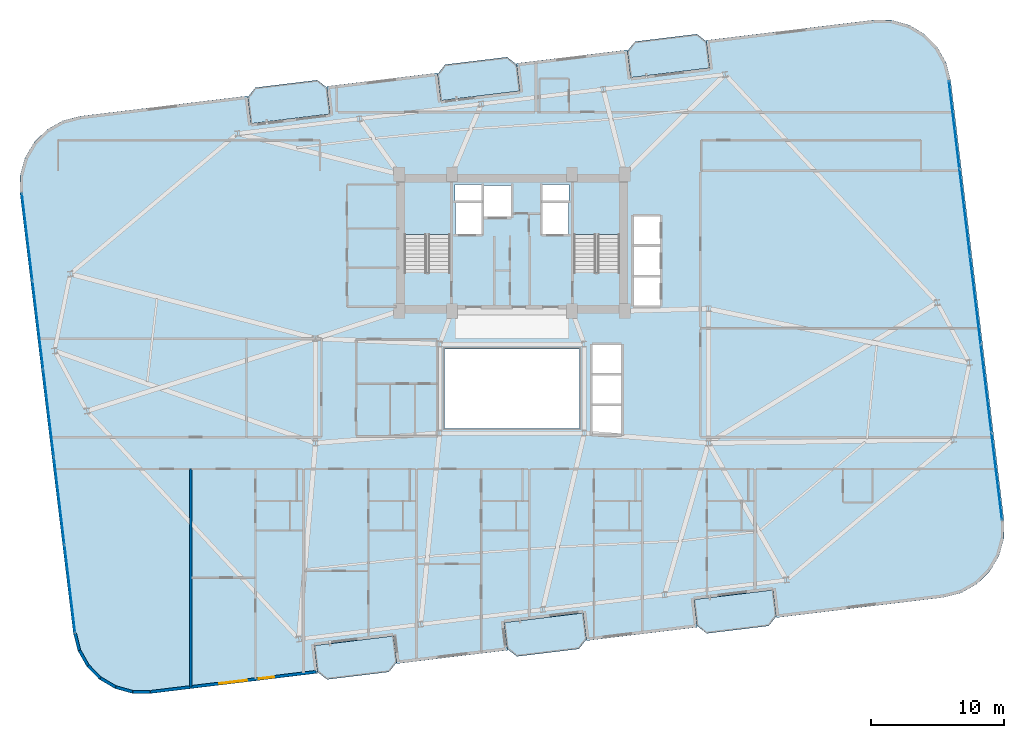
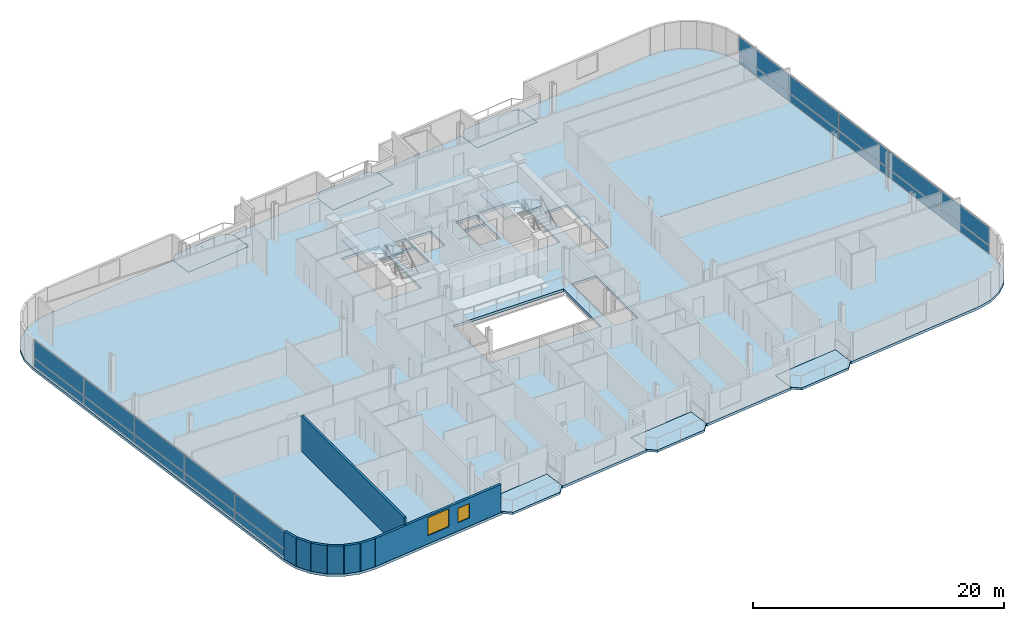
# One storey, part 13 of 23: 20 plates, 9 slabs, 8 walls, 2 windows, 2 openings, 4 elements without a shape of their own.
"""IFC4 building model written with IfcOpenShell, lengths in metres."""

from ifc_helpers import new_model, si_unit, direction, frame, frame_2d, origin, origin_2d, place, context, subcontext, project, spatial, polyline, rectangle, outline, extrude, source, transform, mapped, material, layer, layer_set, type_object, element, fill, aggregate, save


model = new_model("IFC4")

# Units and contexts
model_context = context("Model", 3, precision=1e-05, world=origin(), true_north=direction((0.0, 1.0)))
body_context = subcontext(model_context, "Body", "Model", "MODEL_VIEW")
ifc_project = project(units=[si_unit("LENGTHUNIT", "METRE"), si_unit("AREAUNIT", "SQUARE_METRE"), si_unit("VOLUMEUNIT", "CUBIC_METRE"), si_unit("PLANEANGLEUNIT", "RADIAN"), si_unit("MASSUNIT", "GRAM", prefix="KILO")], contexts=[model_context])

# Site, building, storey
site_placement = place(None, origin())
site = spatial("IfcSite", under=ifc_project, at=site_placement, CompositionType="ELEMENT")
building_placement = place(site_placement, origin())
building = spatial("IfcBuilding", under=site, at=building_placement, Name="Varnelok Gate Tower", CompositionType="ELEMENT")
storey_placement = place(building_placement, frame((0.0, 0.0, 189.39990234375)))
storey = spatial("IfcBuildingStorey", under=building, at=storey_placement, Name="L48", CompositionType="ELEMENT", Elevation=189.39990234375)

# Slabs
ifc_material_1 = material(Name="Concrete C45/55", Category="concrete")
ifc_layer_1 = layer(ifc_material_1, 0.219970703125)
ifc_layer_set_1 = layer_set([ifc_layer_1], Name="Concrete C45/55")
slab_type_1 = type_object("IfcSlabType", Name="SLB-BALC-220", PredefinedType="FLOOR", material=ifc_layer_set_1)
slab_1_placement = place(storey_placement, frame((0.0, 0.0, -0.219970703125)))
element("IfcSlab", 1, at=slab_1_placement, inside=storey, type_object=slab_type_1, Name="L48 South Hollow Balcony 1", PredefinedType="FLOOR", context=body_context, shape_type="SweptSolid", body=[
    extrude(outline(polyline([(24.550048828125, 1.564453125), (25.2734375, 0.997314453125), (29.939208984375, 1.56298828125), (30.50634765625, 2.28662109375), (30.265625, 4.27197265625), (24.309326171875, 3.5498046875), (24.550048828125, 1.564453125)])), origin(), (0.0, 0.0, 1.0), 0.219970703125),
])
slab_2_placement = place(storey_placement, frame((0.0, 0.0, -0.219970703125)))
element("IfcSlab", 2, at=slab_2_placement, inside=storey, type_object=slab_type_1, Name="L48 South Hollow Balcony 2", PredefinedType="FLOOR", context=body_context, shape_type="SweptSolid", body=[
    extrude(outline(polyline([(38.84521484375, 3.29736328125), (39.56884765625, 2.73046875), (44.234619140625, 3.2958984375), (44.8017578125, 4.01953125), (44.56103515625, 6.0048828125), (38.6044921875, 5.282958984375), (38.84521484375, 3.29736328125)])), origin(), (0.0, 0.0, 1.0), 0.219970703125),
])
slab_3_placement = place(storey_placement, frame((0.0, 0.0, -0.219970703125)))
element("IfcSlab", 3, at=slab_3_placement, inside=storey, type_object=slab_type_1, Name="L48 South Hollow Balcony 3", PredefinedType="FLOOR", context=body_context, shape_type="SweptSolid", body=[
    extrude(outline(polyline([(53.140625, 5.030517578125), (53.8642578125, 4.46337890625), (58.530029296875, 5.02880859375), (59.09716796875, 5.75244140625), (58.8564453125, 7.73779296875), (52.89990234375, 7.015869140625), (53.140625, 5.030517578125)])), origin(), (0.0, 0.0, 1.0), 0.219970703125),
])
slab_4_placement = place(storey_placement, frame((0.0, 0.0, -0.219970703125)))
element("IfcSlab", 4, at=slab_4_placement, inside=storey, type_object=slab_type_1, Name="L48 North Hollow Balcony 1", PredefinedType="FLOOR", context=body_context, shape_type="SweptSolid", body=[
    extrude(outline(polyline([(19.543701171875, 42.862060546875), (25.5, 43.584228515625), (25.25927734375, 45.569580078125), (24.535888671875, 46.13671875), (19.8701171875, 45.571044921875), (19.302978515625, 44.84765625), (19.543701171875, 42.862060546875)])), origin(), (0.0, 0.0, 1.0), 0.219970703125),
])
slab_5_placement = place(storey_placement, frame((0.0, 0.0, -0.219970703125)))
element("IfcSlab", 5, at=slab_5_placement, inside=storey, type_object=slab_type_1, Name="L48 North Hollow Balcony 2", PredefinedType="FLOOR", context=body_context, shape_type="SweptSolid", body=[
    extrude(outline(polyline([(33.839111328125, 44.59521484375), (39.79541015625, 45.317138671875), (39.5546875, 47.302490234375), (38.831298828125, 47.86962890625), (34.165283203125, 47.303955078125), (33.598388671875, 46.58056640625), (33.839111328125, 44.59521484375)])), origin(), (0.0, 0.0, 1.0), 0.219970703125),
])
slab_6_placement = place(storey_placement, frame((0.0, 0.0, -0.219970703125)))
element("IfcSlab", 6, at=slab_6_placement, inside=storey, type_object=slab_type_1, Name="L48 North Hollow Balcony 3", PredefinedType="FLOOR", context=body_context, shape_type="SweptSolid", body=[
    extrude(outline(polyline([(48.13427734375, 46.327880859375), (54.0908203125, 47.050048828125), (53.85009765625, 49.03564453125), (53.12646484375, 49.6025390625), (48.460693359375, 49.037109375), (47.8935546875, 48.3134765625), (48.13427734375, 46.327880859375)])), origin(), (0.0, 0.0, 1.0), 0.219970703125),
])

# Stair, slab
ifc_material_2 = material(Name="Concrete C50/60", Category="concrete")
stair_type = type_object("IfcStairType", Name="STR-CORE-1650", PredefinedType="HALF_TURN_STAIR", material=ifc_material_2)
stair_1_placement = place(storey_placement, origin())
stair_1 = element("IfcStair", 7, at=stair_1_placement, inside=storey, type_object=stair_type, Name="L48 Exit Stair ST-1", PredefinedType="HALF_TURN_STAIR")
ifc_layer_2 = layer(ifc_material_1, 0.199951171875)
ifc_layer_set_2 = layer_set([ifc_layer_2], Name="Concrete C45/55")
slab_type_2 = type_object("IfcSlabType", Name="SLB-LAND-200", PredefinedType="LANDING", material=ifc_layer_set_2)
slab_7_placement = place(storey_placement, frame((0.0, 0.0, 1.650146484375)))
slab_7 = element("IfcSlab", 8, at=slab_7_placement, type_object=slab_type_2, Name="ST-1 landing 1", PredefinedType="LANDING", context=body_context, shape_type="SweptSolid", body=[
    extrude(outline(polyline([(34.550048828125, 34.5), (34.550048828125, 38.449951171875), (31.10009765625, 38.449951171875), (31.10009765625, 34.5), (34.550048828125, 34.5)])), origin(), (0.0, 0.0, 1.0), 0.199951171875),
])
aggregate(stair_1, [slab_7])

stair_2_placement = place(storey_placement, origin())
stair_2 = element("IfcStair", 9, at=stair_2_placement, inside=storey, type_object=stair_type, Name="L48 Exit Stair ST-2", PredefinedType="HALF_TURN_STAIR")
slab_8_placement = place(storey_placement, frame((0.0, 0.0, 1.650146484375)))
slab_8 = element("IfcSlab", 10, at=slab_8_placement, type_object=slab_type_2, Name="ST-2 landing 1", PredefinedType="LANDING", context=body_context, shape_type="SweptSolid", body=[
    extrude(outline(polyline([(47.300048828125, 34.5), (47.300048828125, 38.449951171875), (43.85009765625, 38.449951171875), (43.85009765625, 34.5), (47.300048828125, 34.5)])), origin(), (0.0, 0.0, 1.0), 0.199951171875),
])
aggregate(stair_2, [slab_8])

# Slab
ifc_layer_3 = layer(ifc_material_2, 0.25)
ifc_layer_set_3 = layer_set([ifc_layer_3], Name="Concrete C50/60")
slab_type_3 = type_object("IfcSlabType", Name="SLB-TYP-250", PredefinedType="FLOOR", material=ifc_layer_set_3)
slab_9_placement = place(storey_placement, frame((0.0, 0.0, -0.25)))
element("IfcSlab", 11, at=slab_9_placement, inside=storey, type_object=slab_type_3, Name="L48 Structural Floor Slab", PredefinedType="FLOOR", context=body_context, shape_type="SweptSolid", body=[
    extrude(outline(polyline([(6.166259765625, 4.47314453125), (6.504150390625, 3.158447265625), (7.1708984375, 1.975830078125), (8.120849609375, 1.006103515625), (9.289306640625, 0.3154296875), (10.596923828125, -0.04931640625), (11.954345703125, -0.063232421875), (22.87451171875, 1.260498046875), (24.56201171875, 1.465087890625), (24.309326171875, 3.5498046875), (30.265625, 4.27197265625), (30.518310546875, 2.187255859375), (38.857421875, 3.197998046875), (38.6044921875, 5.282958984375), (44.56103515625, 6.0048828125), (44.813720703125, 3.920166015625), (53.152587890625, 4.93115234375), (52.89990234375, 7.015869140625), (58.8564453125, 7.73779296875), (59.109130859375, 5.6533203125), (60.796630859375, 5.85791015625), (71.716796875, 7.181396484375), (73.031494140625, 7.519287109375), (74.214111328125, 8.18603515625), (75.183837890625, 9.135986328125), (75.87451171875, 10.3046875), (76.2392578125, 11.612060546875), (76.253173828125, 12.969482421875), (72.233642578125, 46.126708984375), (71.895751953125, 47.441650390625), (71.229248046875, 48.6240234375), (70.279296875, 49.59375), (69.110595703125, 50.284423828125), (67.802978515625, 50.6494140625), (66.44580078125, 50.6630859375), (55.525634765625, 49.33935546875), (53.837890625, 49.134765625), (54.0908203125, 47.050048828125), (48.13427734375, 46.327880859375), (47.881591796875, 48.412841796875), (39.54248046875, 47.40185546875), (39.79541015625, 45.317138671875), (33.839111328125, 44.59521484375), (33.586181640625, 46.6796875), (25.247314453125, 45.6689453125), (25.5, 43.584228515625), (19.543701171875, 42.862060546875), (19.291015625, 44.94677734375), (17.603271484375, 44.7421875), (6.68310546875, 43.41845703125), (5.368408203125, 43.08056640625), (4.18603515625, 42.413818359375), (3.21630859375, 41.464111328125), (2.525390625, 40.29541015625), (2.16064453125, 38.98779296875), (2.146728515625, 37.630615234375), (6.166259765625, 4.47314453125)]), holes=[polyline([(34.550048828125, 31.679931640625), (34.550048828125, 38.449951171875), (31.10009765625, 38.449951171875), (31.10009765625, 31.679931640625), (34.550048828125, 31.679931640625)]), polyline([(47.300048828125, 31.679931640625), (47.300048828125, 38.449951171875), (43.85009765625, 38.449951171875), (43.85009765625, 31.679931640625), (47.300048828125, 31.679931640625)]), polyline([(34.949951171875, 34.550048828125), (36.89990234375, 34.550048828125), (36.89990234375, 36.89990234375), (34.949951171875, 36.89990234375), (34.949951171875, 34.550048828125)]), polyline([(41.5, 34.550048828125), (43.449951171875, 34.550048828125), (43.449951171875, 36.89990234375), (41.5, 36.89990234375), (41.5, 34.550048828125)]), polyline([(37.050048828125, 35.85009765625), (39.14990234375, 35.85009765625), (39.14990234375, 38.199951171875), (37.050048828125, 38.199951171875), (37.050048828125, 35.85009765625)]), polyline([(48.35009765625, 29.14990234375), (50.35009765625, 29.14990234375), (50.35009765625, 35.89990234375), (48.35009765625, 35.89990234375), (48.35009765625, 29.14990234375)]), polyline([(45.25, 19.449951171875), (47.449951171875, 19.449951171875), (47.449951171875, 26.199951171875), (45.25, 26.199951171875), (45.25, 19.449951171875)]), polyline([(34.919921875, 37.080078125), (36.89990234375, 37.080078125), (36.89990234375, 38.280029296875), (34.919921875, 38.280029296875), (34.919921875, 37.080078125)]), polyline([(41.5, 37.080078125), (43.47998046875, 37.080078125), (43.47998046875, 38.280029296875), (41.5, 38.280029296875), (41.5, 37.080078125)]), polyline([(34.10009765625, 19.89990234375), (44.300048828125, 19.89990234375), (44.300048828125, 25.89990234375), (34.10009765625, 25.89990234375), (34.10009765625, 19.89990234375)])]), origin(), (0.0, 0.0, 1.0), 0.25),
])

# Curtain wall, plates
ifc_material_3 = material(Name="Anodized Aluminum Alloy 6063-T6", Category="aluminium")
ifc_layer_4 = layer(ifc_material_3, 0.179931640625)
ifc_layer_set_4 = layer_set([ifc_layer_4], Name="Anodized Aluminum Alloy 6063-T6")
curtain_wall_type = type_object("IfcCurtainWallType", Name="CW4-RESIDENCE-VISION", PredefinedType="USERDEFINED", material=ifc_layer_set_4)
curtain_wall_1_placement = place(storey_placement, origin())
curtain_wall_1 = element("IfcCurtainWall", 12, at=curtain_wall_1_placement, inside=storey, type_object=curtain_wall_type, Name="L48 West End Vision Curtain Wall", ObjectType="UNITISED CURTAIN WALL", PredefinedType="USERDEFINED")
ifc_material_4 = material(Name="Low-E Laminated Double Glazing IGU", Category="glass")
ifc_layer_5 = layer(ifc_material_4, 0.035888671875)
ifc_layer_set_5 = layer_set([ifc_layer_5], Name="Low-E Laminated Double Glazing IGU")
plate_type = type_object("IfcPlateType", Name="CW-PNL-IGU36", PredefinedType="CURTAIN_PANEL", material=ifc_layer_set_5)
shared_shape_1 = source(origin(), body_context, "Body", "SweptSolid", [
    extrude(rectangle(XDim=6.5673828125, YDim=0.035888671875, at=origin_2d()), origin(), (0.0, 0.0, 1.0), 0.78759765625),
])
plate_1_placement = place(storey_placement, frame((5.901123046875, 7.824462890625, 0.074951171875), z_axis=(0.0, 0.0, 1.0), x_axis=(-0.120344511371, 0.992732188751, 0.0)))
plate_1 = element("IfcPlate", 13, at=plate_1_placement, type_object=plate_type, Name="CW4 panel 1.1", PredefinedType="CURTAIN_PANEL", context=body_context, shape_type="MappedRepresentation", body=[
    mapped(shared_shape_1, transform((0.0, 0.0, 0.0), scale=1.0)),
])
plate_2_placement = place(storey_placement, frame((2.68994140625, 34.31298828125, 0.074951171875), z_axis=(0.0, 0.0, 1.0), x_axis=(-0.120344511371, 0.992732188751, 0.0)))
plate_2 = element("IfcPlate", 14, at=plate_2_placement, type_object=plate_type, Name="CW4 panel 5.1", PredefinedType="CURTAIN_PANEL", context=body_context, shape_type="MappedRepresentation", body=[
    mapped(shared_shape_1, transform((0.0, 0.0, 0.0), scale=1.0)),
])

curtain_wall_2_placement = place(storey_placement, origin())
curtain_wall_2 = element("IfcCurtainWall", 15, at=curtain_wall_2_placement, inside=storey, type_object=curtain_wall_type, Name="L48 East End Vision Curtain Wall", ObjectType="UNITISED CURTAIN WALL", PredefinedType="USERDEFINED")
plate_3_placement = place(storey_placement, frame((72.4990234375, 42.775634765625, 0.074951171875), z_axis=(0.0, 0.0, 1.0), x_axis=(0.120344511371, -0.992732188751, 0.0)))
plate_3 = element("IfcPlate", 16, at=plate_3_placement, type_object=plate_type, Name="CW4 panel 1.1", PredefinedType="CURTAIN_PANEL", context=body_context, shape_type="MappedRepresentation", body=[
    mapped(shared_shape_1, transform((0.0, 0.0, 0.0), scale=1.0)),
])
plate_4_placement = place(storey_placement, frame((75.7099609375, 16.287109375, 0.074951171875), z_axis=(0.0, 0.0, 1.0), x_axis=(0.120344511371, -0.992732188751, 0.0)))
plate_4 = element("IfcPlate", 17, at=plate_4_placement, type_object=plate_type, Name="CW4 panel 5.1", PredefinedType="CURTAIN_PANEL", context=body_context, shape_type="MappedRepresentation", body=[
    mapped(shared_shape_1, transform((0.0, 0.0, 0.0), scale=1.0)),
])

# Plate
shared_shape_2 = source(origin(), body_context, "Body", "SweptSolid", [
    extrude(rectangle(XDim=6.5673828125, YDim=0.035888671875, at=origin_2d()), origin(), (0.0, 0.0, 1.0), 1.717529296875),
])
plate_5_placement = place(storey_placement, frame((5.901123046875, 7.824462890625, 0.9375), z_axis=(0.0, 0.0, 1.0), x_axis=(-0.120344511371, 0.992732188751, 0.0)))
plate_5 = element("IfcPlate", 18, at=plate_5_placement, type_object=plate_type, Name="CW4 panel 1.2", PredefinedType="CURTAIN_PANEL", context=body_context, shape_type="MappedRepresentation", body=[
    mapped(shared_shape_2, transform((0.0, 0.0, 0.0), scale=1.0)),
])

plate_6_placement = place(storey_placement, frame((2.68994140625, 34.31298828125, 0.9375), z_axis=(0.0, 0.0, 1.0), x_axis=(-0.120344511371, 0.992732188751, 0.0)))
plate_6 = element("IfcPlate", 19, at=plate_6_placement, type_object=plate_type, Name="CW4 panel 5.2", PredefinedType="CURTAIN_PANEL", context=body_context, shape_type="MappedRepresentation", body=[
    mapped(shared_shape_2, transform((0.0, 0.0, 0.0), scale=1.0)),
])

plate_7_placement = place(storey_placement, frame((72.4990234375, 42.775634765625, 0.9375), z_axis=(0.0, 0.0, 1.0), x_axis=(0.120344511371, -0.992732188751, 0.0)))
plate_7 = element("IfcPlate", 20, at=plate_7_placement, type_object=plate_type, Name="CW4 panel 1.2", PredefinedType="CURTAIN_PANEL", context=body_context, shape_type="MappedRepresentation", body=[
    mapped(shared_shape_2, transform((0.0, 0.0, 0.0), scale=1.0)),
])

plate_8_placement = place(storey_placement, frame((75.7099609375, 16.287109375, 0.9375), z_axis=(0.0, 0.0, 1.0), x_axis=(0.120344511371, -0.992732188751, 0.0)))
plate_8 = element("IfcPlate", 21, at=plate_8_placement, type_object=plate_type, Name="CW4 panel 5.2", PredefinedType="CURTAIN_PANEL", context=body_context, shape_type="MappedRepresentation", body=[
    mapped(shared_shape_2, transform((0.0, 0.0, 0.0), scale=1.0)),
])

shared_shape_3 = source(origin(), body_context, "Body", "SweptSolid", [
    extrude(rectangle(XDim=6.60498046875, YDim=0.035888671875, at=origin_2d()), origin(), (0.0, 0.0, 1.0), 0.78759765625),
])
plate_9_placement = place(storey_placement, frame((5.099365234375, 14.437255859375, 0.074951171875), z_axis=(0.0, 0.0, 1.0), x_axis=(-0.120344511371, 0.992732188751, 0.0)))
plate_9 = element("IfcPlate", 22, at=plate_9_placement, type_object=plate_type, Name="CW4 panel 2.1", PredefinedType="CURTAIN_PANEL", context=body_context, shape_type="MappedRepresentation", body=[
    mapped(shared_shape_3, transform((0.0, 0.0, 0.0), scale=1.0)),
])

plate_10_placement = place(storey_placement, frame((4.295654296875, 21.068603515625, 0.074951171875), z_axis=(0.0, 0.0, 1.0), x_axis=(-0.120344511371, 0.992732188751, 0.0)))
plate_10 = element("IfcPlate", 23, at=plate_10_placement, type_object=plate_type, Name="CW4 panel 3.1", PredefinedType="CURTAIN_PANEL", context=body_context, shape_type="MappedRepresentation", body=[
    mapped(shared_shape_3, transform((0.0, 0.0, 0.0), scale=1.0)),
])

plate_11_placement = place(storey_placement, frame((3.49169921875, 27.7001953125, 0.074951171875), z_axis=(0.0, 0.0, 1.0), x_axis=(-0.120344511371, 0.992732188751, 0.0)))
plate_11 = element("IfcPlate", 24, at=plate_11_placement, type_object=plate_type, Name="CW4 panel 4.1", PredefinedType="CURTAIN_PANEL", context=body_context, shape_type="MappedRepresentation", body=[
    mapped(shared_shape_3, transform((0.0, 0.0, 0.0), scale=1.0)),
])

plate_12_placement = place(storey_placement, frame((73.300537109375, 36.162841796875, 0.074951171875), z_axis=(0.0, 0.0, 1.0), x_axis=(0.120344511371, -0.992732188751, 0.0)))
plate_12 = element("IfcPlate", 25, at=plate_12_placement, type_object=plate_type, Name="CW4 panel 2.1", PredefinedType="CURTAIN_PANEL", context=body_context, shape_type="MappedRepresentation", body=[
    mapped(shared_shape_3, transform((0.0, 0.0, 0.0), scale=1.0)),
])

plate_13_placement = place(storey_placement, frame((74.1044921875, 29.53125, 0.074951171875), z_axis=(0.0, 0.0, 1.0), x_axis=(0.120344511371, -0.992732188751, 0.0)))
plate_13 = element("IfcPlate", 26, at=plate_13_placement, type_object=plate_type, Name="CW4 panel 3.1", PredefinedType="CURTAIN_PANEL", context=body_context, shape_type="MappedRepresentation", body=[
    mapped(shared_shape_3, transform((0.0, 0.0, 0.0), scale=1.0)),
])

plate_14_placement = place(storey_placement, frame((74.908447265625, 22.89990234375, 0.074951171875), z_axis=(0.0, 0.0, 1.0), x_axis=(0.120344511371, -0.992732188751, 0.0)))
plate_14 = element("IfcPlate", 27, at=plate_14_placement, type_object=plate_type, Name="CW4 panel 4.1", PredefinedType="CURTAIN_PANEL", context=body_context, shape_type="MappedRepresentation", body=[
    mapped(shared_shape_3, transform((0.0, 0.0, 0.0), scale=1.0)),
])

shared_shape_4 = source(origin(), body_context, "Body", "SweptSolid", [
    extrude(rectangle(XDim=6.60498046875, YDim=0.035888671875, at=origin_2d()), origin(), (0.0, 0.0, 1.0), 1.717529296875),
])
plate_15_placement = place(storey_placement, frame((5.099365234375, 14.437255859375, 0.9375), z_axis=(0.0, 0.0, 1.0), x_axis=(-0.120344511371, 0.992732188751, 0.0)))
plate_15 = element("IfcPlate", 28, at=plate_15_placement, type_object=plate_type, Name="CW4 panel 2.2", PredefinedType="CURTAIN_PANEL", context=body_context, shape_type="MappedRepresentation", body=[
    mapped(shared_shape_4, transform((0.0, 0.0, 0.0), scale=1.0)),
])

plate_16_placement = place(storey_placement, frame((4.295654296875, 21.068603515625, 0.9375), z_axis=(0.0, 0.0, 1.0), x_axis=(-0.120344511371, 0.992732188751, 0.0)))
plate_16 = element("IfcPlate", 29, at=plate_16_placement, type_object=plate_type, Name="CW4 panel 3.2", PredefinedType="CURTAIN_PANEL", context=body_context, shape_type="MappedRepresentation", body=[
    mapped(shared_shape_4, transform((0.0, 0.0, 0.0), scale=1.0)),
])

plate_17_placement = place(storey_placement, frame((3.49169921875, 27.7001953125, 0.9375), z_axis=(0.0, 0.0, 1.0), x_axis=(-0.120344511371, 0.992732188751, 0.0)))
plate_17 = element("IfcPlate", 30, at=plate_17_placement, type_object=plate_type, Name="CW4 panel 4.2", PredefinedType="CURTAIN_PANEL", context=body_context, shape_type="MappedRepresentation", body=[
    mapped(shared_shape_4, transform((0.0, 0.0, 0.0), scale=1.0)),
])

aggregate(curtain_wall_1, [plate_1, plate_5, plate_9, plate_15, plate_10, plate_16, plate_11, plate_17, plate_2, plate_6])

plate_18_placement = place(storey_placement, frame((73.300537109375, 36.162841796875, 0.9375), z_axis=(0.0, 0.0, 1.0), x_axis=(0.120344511371, -0.992732188751, 0.0)))
plate_18 = element("IfcPlate", 31, at=plate_18_placement, type_object=plate_type, Name="CW4 panel 2.2", PredefinedType="CURTAIN_PANEL", context=body_context, shape_type="MappedRepresentation", body=[
    mapped(shared_shape_4, transform((0.0, 0.0, 0.0), scale=1.0)),
])

plate_19_placement = place(storey_placement, frame((74.1044921875, 29.53125, 0.9375), z_axis=(0.0, 0.0, 1.0), x_axis=(0.120344511371, -0.992732188751, 0.0)))
plate_19 = element("IfcPlate", 32, at=plate_19_placement, type_object=plate_type, Name="CW4 panel 3.2", PredefinedType="CURTAIN_PANEL", context=body_context, shape_type="MappedRepresentation", body=[
    mapped(shared_shape_4, transform((0.0, 0.0, 0.0), scale=1.0)),
])

plate_20_placement = place(storey_placement, frame((74.908447265625, 22.89990234375, 0.9375), z_axis=(0.0, 0.0, 1.0), x_axis=(0.120344511371, -0.992732188751, 0.0)))
plate_20 = element("IfcPlate", 33, at=plate_20_placement, type_object=plate_type, Name="CW4 panel 4.2", PredefinedType="CURTAIN_PANEL", context=body_context, shape_type="MappedRepresentation", body=[
    mapped(shared_shape_4, transform((0.0, 0.0, 0.0), scale=1.0)),
])

aggregate(curtain_wall_2, [plate_3, plate_7, plate_12, plate_18, plate_13, plate_19, plate_14, plate_20, plate_4, plate_8])

# Walls
ifc_layer_6 = layer(ifc_material_1, 0.219970703125)
ifc_layer_set_6 = layer_set([ifc_layer_6], Name="Concrete C45/55")
wall_type_1 = type_object("IfcWallType", Name="EW-BALC-220", PredefinedType="SOLIDWALL", material=ifc_layer_set_6)
wall_1_placement = place(storey_placement, frame((6.286376953125, 4.48779296875, 0.0), z_axis=(0.0, 0.0, 1.0), x_axis=(0.248942347653, -0.968518305219, 0.0)))
element("IfcWall", 34, at=wall_1_placement, inside=storey, type_object=wall_type_1, Name="L48 Perimeter Facade Closure Wall 1", PredefinedType="SOLIDWALL", context=body_context, shape_type="SweptSolid", body=[
    extrude(rectangle(XDim=1.325927734375, YDim=0.219970703125, at=frame_2d((0.6630859375, 0.0))), origin(), (0.0, 0.0, 1.0), 2.72998046875),
])
for number, where, z_axis, x_axis, name in (
    (35, (6.62890625, 3.181884765625, 0.0), (0.0, 0.0, 1.0), (0.490956091431, -0.871184318205, 0.0), "L48 Perimeter Facade Closure Wall 2"),
    (36, (7.28515625, 2.03076171875, 0.0), (0.0, 0.0, 1.0), (0.699844331926, -0.714295394827, 0.0), "L48 Perimeter Facade Closure Wall 3"),
    (37, (8.217041015625, 1.088623046875, 0.0), (0.0, 0.0, 1.0), (0.860885425627, -0.508798863936, 0.0), "L48 Perimeter Facade Closure Wall 4"),
):
    element("IfcWall", number, at=place(storey_placement, frame(where, z_axis=z_axis, x_axis=x_axis)), inside=storey, type_object=wall_type_1, Name=name, PredefinedType="SOLIDWALL", context=body_context, shape_type="SweptSolid", body=[
        extrude(rectangle(XDim=1.30078125, YDim=0.219970703125, at=frame_2d((0.650390625, 0.0))), origin(), (0.0, 0.0, 1.0), 2.72998046875),
    ])
wall_2_placement = place(storey_placement, frame((9.36083984375, 0.420166015625, 0.0), z_axis=(0.0, 0.0, 1.0), x_axis=(0.963218895288, -0.268717992997, 0.0)))
element("IfcWall", 38, at=wall_2_placement, inside=storey, type_object=wall_type_1, Name="L48 Perimeter Facade Closure Wall 5", PredefinedType="SOLIDWALL", context=body_context, shape_type="SweptSolid", body=[
    extrude(rectangle(XDim=1.301025390625, YDim=0.219970703125, at=frame_2d((0.650390625, 0.0))), origin(), (0.0, 0.0, 1.0), 2.72998046875),
])
wall_3_placement = place(storey_placement, frame((10.638916015625, 0.0703125, 0.0), z_axis=(0.0, 0.0, 1.0), x_axis=(0.999947377741, -0.010258740119, 0.0)))
element("IfcWall", 39, at=wall_3_placement, inside=storey, type_object=wall_type_1, Name="L48 Perimeter Facade Closure Wall 6", PredefinedType="SOLIDWALL", context=body_context, shape_type="SweptSolid", body=[
    extrude(rectangle(XDim=1.308837890625, YDim=0.219970703125, at=frame_2d((0.654296875, 0.0))), origin(), (0.0, 0.0, 1.0), 2.72998046875),
])

# Wall, openings, windows
wall_4_placement = place(storey_placement, frame((11.972412109375, 0.059814453125, 0.0), z_axis=(0.0, 0.0, 1.0), x_axis=(0.992732021049, 0.120345894751, 0.0)))
wall_4 = element("IfcWall", 40, at=wall_4_placement, inside=storey, type_object=wall_type_1, Name="L48 Perimeter Facade Closure Wall 7", PredefinedType="SOLIDWALL", context=body_context, shape_type="SweptSolid", body=[
    extrude(rectangle(XDim=12.54736328125, YDim=0.219970703125, at=frame_2d((6.273681640625, 0.0))), origin(), (0.0, 0.0, 1.0), 2.72998046875),
])
opening_1_placement = place(wall_4_placement, frame((5.2236328125, 0.0, 0.800048828125)))
opening_1 = element("IfcOpeningElement", 41, at=opening_1_placement, cuts=wall_4, Name="Opening WN4", PredefinedType="OPENING", context=body_context, shape_type="SweptSolid", body=[
    extrude(rectangle(XDim=2.10009765625, YDim=1.75, at=frame_2d((1.050048828125, 0.875))), frame((0.0, 0.119873046875, 0.0), z_axis=(0.0, -1.0, 0.0), x_axis=(1.0, 0.0, 0.0)), (0.0, 0.0, 1.0), 0.239990234375),
])
opening_2_placement = place(wall_4_placement, frame((8.224853515625, 0.0, 0.800048828125)))
opening_2 = element("IfcOpeningElement", 42, at=opening_2_placement, cuts=wall_4, Name="Opening WN8", PredefinedType="OPENING", context=body_context, shape_type="SweptSolid", body=[
    extrude(rectangle(XDim=1.14990234375, YDim=1.39990234375, at=frame_2d((0.574951171875, 0.699951171875))), frame((0.0, 0.119873046875, 0.0), z_axis=(0.0, -1.0, 0.0), x_axis=(1.0, 0.0, 0.0)), (0.0, 0.0, 1.0), 0.239990234375),
])
window_type_1 = type_object("IfcWindowType", Name="WN-BED-1150", PartitioningType="SINGLE_PANEL", PredefinedType="WINDOW", material=ifc_material_4)
window_1_placement = place(opening_2_placement, origin())
window_1 = element("IfcWindow", 43, at=window_1_placement, inside=storey, type_object=window_type_1, Name="L48 Bedroom Vision Window 28", OverallHeight=1.39990234375, OverallWidth=1.14990234375, PartitioningType="SINGLE_PANEL", PredefinedType="WINDOW", context=body_context, shape_type="SweptSolid", body=[
    extrude(rectangle(XDim=1.14990234375, YDim=1.39990234375, at=frame_2d((0.574951171875, 0.699951171875))), frame((0.0, 0.030029296875, 0.0), z_axis=(0.0, -1.0, 0.0), x_axis=(1.0, 0.0, 0.0)), (0.0, 0.0, 1.0), 0.06005859375),
])
fill(opening_2, window_1)
window_type_2 = type_object("IfcWindowType", Name="WN-SUI-2100", PartitioningType="SINGLE_PANEL", PredefinedType="WINDOW", material=ifc_material_4)
window_2_placement = place(opening_1_placement, origin())
window_2 = element("IfcWindow", 44, at=window_2_placement, inside=storey, type_object=window_type_2, Name="L48 Perimeter Vision Window 7", OverallHeight=1.75, OverallWidth=2.10009765625, PartitioningType="SINGLE_PANEL", PredefinedType="WINDOW", context=body_context, shape_type="SweptSolid", body=[
    extrude(rectangle(XDim=2.10009765625, YDim=1.75, at=frame_2d((1.050048828125, 0.875))), frame((0.0, 0.030029296875, 0.0), z_axis=(0.0, -1.0, 0.0), x_axis=(1.0, 0.0, 0.0)), (0.0, 0.0, 1.0), 0.06005859375),
])
fill(opening_1, window_2)

# Wall
ifc_material_5 = material(Name="Gypsum Plasterboard Acoustic Partition", Category="gypsum")
ifc_layer_7 = layer(ifc_material_5, 0.205078125)
ifc_layer_set_7 = layer_set([ifc_layer_7], Name="Gypsum Plasterboard Acoustic Partition")
wall_type_2 = type_object("IfcWallType", Name="PW-PARTY-200", PredefinedType="PARTITIONING", material=ifc_layer_set_7)
wall_5_placement = place(storey_placement, frame((15.0, 0.447021484375, 0.0), z_axis=(0.0, 0.0, 1.0), x_axis=(0.0, 1.0, 0.0)))
element("IfcWall", 45, at=wall_5_placement, inside=storey, type_object=wall_type_2, Name="L48 South Party Wall 1", PredefinedType="PARTITIONING", context=body_context, shape_type="SweptSolid", body=[
    extrude(rectangle(XDim=16.403076171875, YDim=0.205078125, at=frame_2d((8.20166015625, 0.0))), origin(), (0.0, 0.0, 1.0), 3.4501953125),
])

save(model, "model.ifc")
